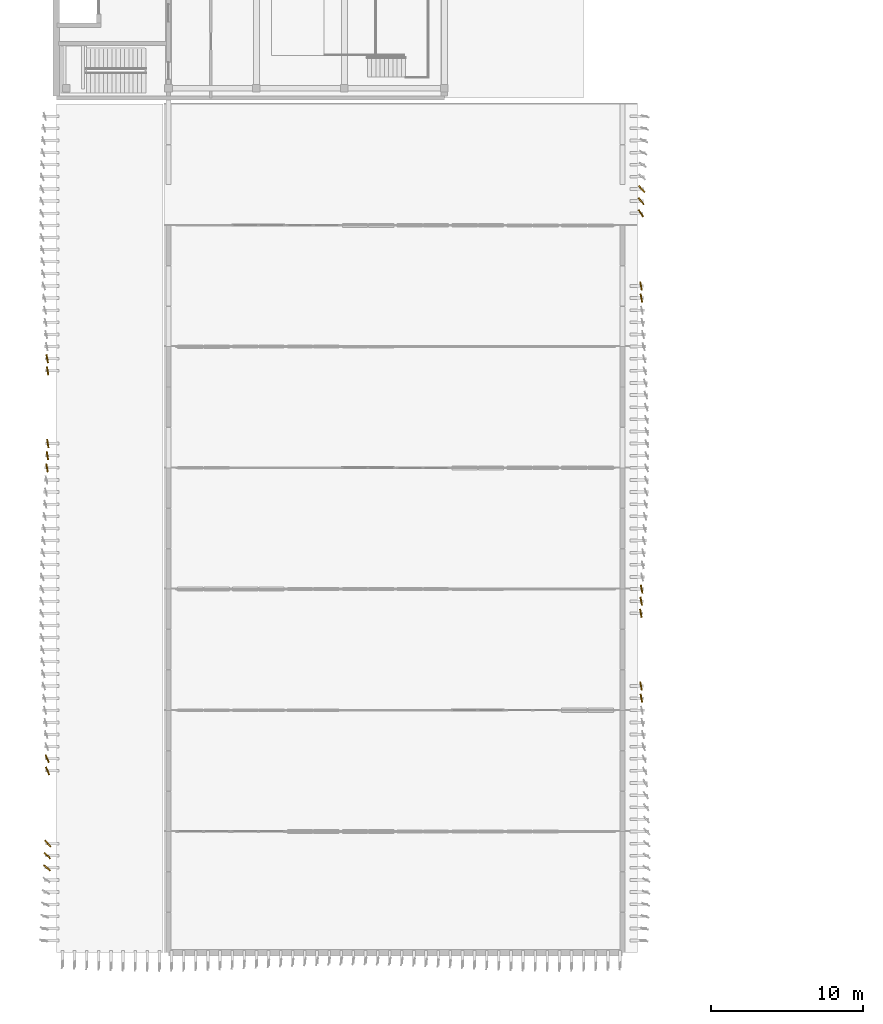
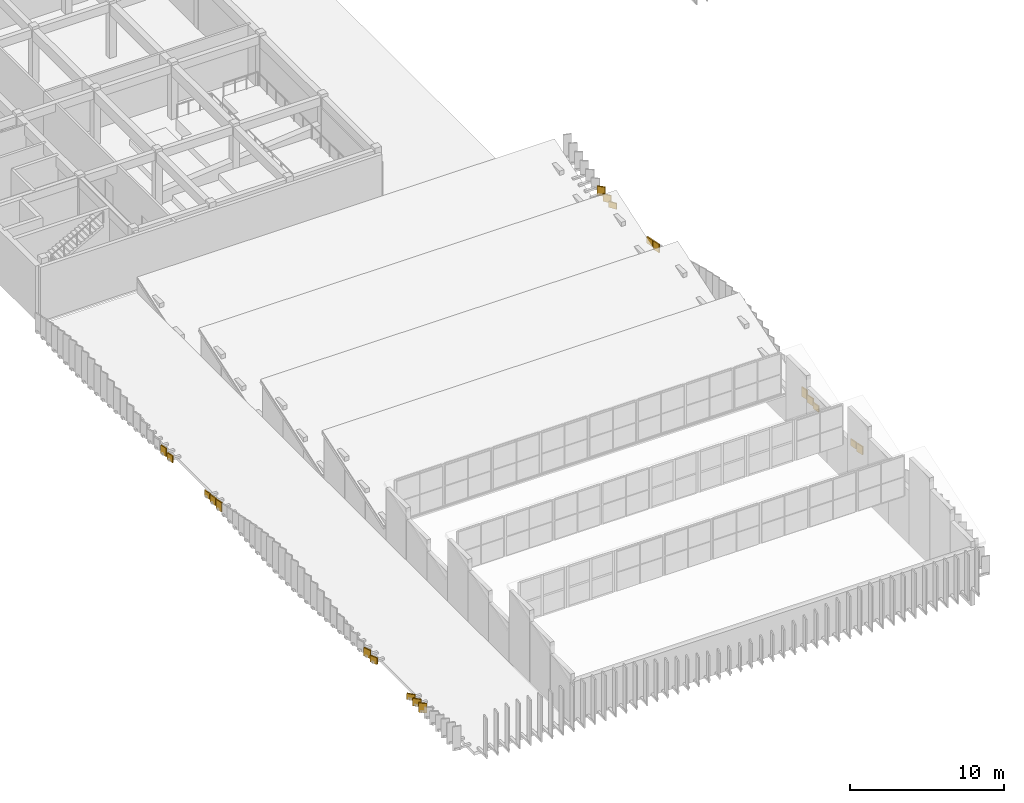
# One storey, part 44 of 45: 20 coverings.
"""IFC4 building model written with IfcOpenShell, lengths in metres."""

from ifc_helpers import new_model, si_unit, direction, frame, origin, origin_2d, place, context, subcontext, project, spatial, rectangle, extrude, material, layer, layer_set, type_object, element, save


model = new_model("IFC4")

# Units and contexts
model_context = context("Model", 3, precision=1e-05, world=origin(), true_north=direction((0.0, 1.0)))
body_context = subcontext(model_context, "Body", "Model", "MODEL_VIEW")
ifc_project = project(units=[si_unit("LENGTHUNIT", "METRE"), si_unit("AREAUNIT", "SQUARE_METRE"), si_unit("VOLUMEUNIT", "CUBIC_METRE"), si_unit("PLANEANGLEUNIT", "RADIAN"), si_unit("MASSUNIT", "GRAM", prefix="KILO")], contexts=[model_context])

# Site, building, storey
site_placement = place(None, origin())
site = spatial("IfcSite", under=ifc_project, at=site_placement, CompositionType="ELEMENT")
building_placement = place(site_placement, origin())
building = spatial("IfcBuilding", under=site, at=building_placement, Name="Cinchona Park Media Centre", CompositionType="ELEMENT")
storey_placement = place(building_placement, frame((0.0, 0.0, 20.39990234375)))
storey = spatial("IfcBuildingStorey", under=building, at=storey_placement, Name="L04", CompositionType="ELEMENT", Elevation=20.39990234375)

# Coverings
ifc_material = material(Name="Anodised Storm-Resistant Aluminium Fin", Category="aluminium")
ifc_layer = layer(ifc_material, 0.090087890625)
ifc_layer_set = layer_set([ifc_layer], Name="Anodised Storm-Resistant Aluminium Fin")
covering_type = type_object("IfcCoveringType", Name="CLADDING-FIN01", PredefinedType="CLADDING", material=ifc_layer_set)
covering_1_placement = place(storey_placement, frame((7.39501953125, 46.800048828125, 0.0), z_axis=(0.0, 0.0, 1.0), x_axis=(0.176569392453, -0.984288194407, 0.0)))
element("IfcCovering", 1, at=covering_1_placement, inside=storey, type_object=covering_type, Name="Twisting Vertical Facade Fin L04", PredefinedType="CLADDING", context=body_context, shape_type="SweptSolid", body=[
    extrude(rectangle(XDim=0.56005859375, YDim=0.090087890625, at=origin_2d()), origin(), (0.0, 0.0, 1.0), 0.659912109375),
])
covering_2_placement = place(storey_placement, frame((7.4208984375, 46.0, 0.000244140625), z_axis=(0.0, 0.0, 1.0), x_axis=(0.161603821103, -0.986855716407, 0.0)))
element("IfcCovering", 2, at=covering_2_placement, inside=storey, type_object=covering_type, Name="Twisting Vertical Facade Fin L04", PredefinedType="CLADDING", context=body_context, shape_type="SweptSolid", body=[
    extrude(rectangle(XDim=0.56005859375, YDim=0.090087890625, at=origin_2d()), origin(), (0.0, 0.0, 1.0), 0.52587890625),
])
covering_3_placement = place(storey_placement, frame((7.431884765625, 41.199951171875, 0.00048828125), z_axis=(0.0, 0.0, 1.0), x_axis=(0.155400074643, -0.987851616793, 0.0)))
element("IfcCovering", 3, at=covering_3_placement, inside=storey, type_object=covering_type, Name="Twisting Vertical Facade Fin L04", PredefinedType="CLADDING", context=body_context, shape_type="SweptSolid", body=[
    extrude(rectangle(XDim=0.56005859375, YDim=0.090087890625, at=origin_2d()), origin(), (0.0, 0.0, 1.0), 0.470947265625),
])
covering_4_placement = place(storey_placement, frame((7.408935546875, 40.39990234375, -0.00048828125), z_axis=(0.0, 0.0, 1.0), x_axis=(0.168661414708, -0.985674047132, 0.0)))
element("IfcCovering", 4, at=covering_4_placement, inside=storey, type_object=covering_type, Name="Twisting Vertical Facade Fin L04", PredefinedType="CLADDING", context=body_context, shape_type="SweptSolid", body=[
    extrude(rectangle(XDim=0.56005859375, YDim=0.090087890625, at=origin_2d()), origin(), (0.0, 0.0, 1.0), 0.589111328125),
])
covering_5_placement = place(storey_placement, frame((7.3798828125, 39.60009765625, -0.00048828125), z_axis=(0.0, 0.0, 1.0), x_axis=(0.185152095101, -0.982709876657, 0.0)))
element("IfcCovering", 5, at=covering_5_placement, inside=storey, type_object=covering_type, Name="Twisting Vertical Facade Fin L04", PredefinedType="CLADDING", context=body_context, shape_type="SweptSolid", body=[
    extrude(rectangle(XDim=0.56005859375, YDim=0.090087890625, at=origin_2d()), origin(), (0.0, 0.0, 1.0), 0.737060546875),
])
covering_6_placement = place(storey_placement, frame((7.39501953125, 20.39990234375, 0.0), z_axis=(0.0, 0.0, 1.0), x_axis=(0.368773569362, -0.929519259908, 0.0)))
element("IfcCovering", 6, at=covering_6_placement, inside=storey, type_object=covering_type, Name="Twisting Vertical Facade Fin L04", PredefinedType="CLADDING", context=body_context, shape_type="SweptSolid", body=[
    extrude(rectangle(XDim=0.56005859375, YDim=0.090087890625, at=origin_2d()), origin(), (0.0, 0.0, 1.0), 0.659912109375),
])
covering_7_placement = place(storey_placement, frame((7.4208984375, 19.60009765625, 0.000244140625), z_axis=(0.0, 0.0, 1.0), x_axis=(0.403066169295, -0.915170838243, 0.0)))
element("IfcCovering", 7, at=covering_7_placement, inside=storey, type_object=covering_type, Name="Twisting Vertical Facade Fin L04", PredefinedType="CLADDING", context=body_context, shape_type="SweptSolid", body=[
    extrude(rectangle(XDim=0.56005859375, YDim=0.090087890625, at=origin_2d()), origin(), (0.0, 0.0, 1.0), 0.52587890625),
])
covering_8_placement = place(storey_placement, frame((7.431884765625, 14.800048828125, 0.00048828125), z_axis=(0.0, 0.0, 1.0), x_axis=(0.661573663187, -0.749880182547, 0.0)))
element("IfcCovering", 8, at=covering_8_placement, inside=storey, type_object=covering_type, Name="Twisting Vertical Facade Fin L04", PredefinedType="CLADDING", context=body_context, shape_type="SweptSolid", body=[
    extrude(rectangle(XDim=0.56005859375, YDim=0.090087890625, at=origin_2d()), origin(), (0.0, 0.0, 1.0), 0.470947265625),
])
covering_9_placement = place(storey_placement, frame((7.408935546875, 14.0, -0.00048828125), z_axis=(0.0, 0.0, 1.0), x_axis=(0.70944774386, -0.704758042687, 0.0)))
element("IfcCovering", 9, at=covering_9_placement, inside=storey, type_object=covering_type, Name="Twisting Vertical Facade Fin L04", PredefinedType="CLADDING", context=body_context, shape_type="SweptSolid", body=[
    extrude(rectangle(XDim=0.56005859375, YDim=0.090087890625, at=origin_2d()), origin(), (0.0, 0.0, 1.0), 0.589111328125),
])
covering_10_placement = place(storey_placement, frame((7.3798828125, 13.199951171875, -0.00048828125), z_axis=(0.0, 0.0, 1.0), x_axis=(0.756538697576, -0.653948926958, 0.0)))
element("IfcCovering", 10, at=covering_10_placement, inside=storey, type_object=covering_type, Name="Twisting Vertical Facade Fin L04", PredefinedType="CLADDING", context=body_context, shape_type="SweptSolid", body=[
    extrude(rectangle(XDim=0.56005859375, YDim=0.090087890625, at=origin_2d()), origin(), (0.0, 0.0, 1.0), 0.737060546875),
])
covering_11_placement = place(storey_placement, frame((46.60498046875, 24.39990234375, 0.0), z_axis=(0.0, 0.0, 1.0), x_axis=(-0.188409860458, 0.982090486912, 0.0)))
element("IfcCovering", 11, at=covering_11_placement, inside=storey, type_object=covering_type, Name="Twisting Vertical Facade Fin L04", PredefinedType="CLADDING", context=body_context, shape_type="SweptSolid", body=[
    extrude(rectangle(XDim=0.56005859375, YDim=0.090087890625, at=origin_2d()), origin(), (0.0, 0.0, 1.0), 0.659912109375),
])
covering_12_placement = place(storey_placement, frame((46.5791015625, 25.199951171875, 0.000244140625), z_axis=(0.0, 0.0, 1.0), x_axis=(-0.17553855164, 0.984472557712, 0.0)))
element("IfcCovering", 12, at=covering_12_placement, inside=storey, type_object=covering_type, Name="Twisting Vertical Facade Fin L04", PredefinedType="CLADDING", context=body_context, shape_type="SweptSolid", body=[
    extrude(rectangle(XDim=0.56005859375, YDim=0.090087890625, at=origin_2d()), origin(), (0.0, 0.0, 1.0), 0.52587890625),
])
covering_13_placement = place(storey_placement, frame((46.568115234375, 30.0, 0.00048828125), z_axis=(0.0, 0.0, 1.0), x_axis=(-0.170209499166, 0.985407898483, 0.0)))
element("IfcCovering", 13, at=covering_13_placement, inside=storey, type_object=covering_type, Name="Twisting Vertical Facade Fin L04", PredefinedType="CLADDING", context=body_context, shape_type="SweptSolid", body=[
    extrude(rectangle(XDim=0.56005859375, YDim=0.090087890625, at=origin_2d()), origin(), (0.0, 0.0, 1.0), 0.470947265625),
])
covering_14_placement = place(storey_placement, frame((46.591064453125, 30.800048828125, -0.00048828125), z_axis=(0.0, 0.0, 1.0), x_axis=(-0.18172066947, 0.983350191075, 0.0)))
element("IfcCovering", 14, at=covering_14_placement, inside=storey, type_object=covering_type, Name="Twisting Vertical Facade Fin L04", PredefinedType="CLADDING", context=body_context, shape_type="SweptSolid", body=[
    extrude(rectangle(XDim=0.56005859375, YDim=0.090087890625, at=origin_2d()), origin(), (0.0, 0.0, 1.0), 0.589111328125),
])
covering_15_placement = place(storey_placement, frame((46.6201171875, 31.60009765625, -0.00048828125), z_axis=(0.0, 0.0, 1.0), x_axis=(-0.195774991714, 0.980648842665, 0.0)))
element("IfcCovering", 15, at=covering_15_placement, inside=storey, type_object=covering_type, Name="Twisting Vertical Facade Fin L04", PredefinedType="CLADDING", context=body_context, shape_type="SweptSolid", body=[
    extrude(rectangle(XDim=0.56005859375, YDim=0.090087890625, at=origin_2d()), origin(), (0.0, 0.0, 1.0), 0.737060546875),
])
covering_16_placement = place(storey_placement, frame((46.60498046875, 50.800048828125, 0.0), z_axis=(0.0, 0.0, 1.0), x_axis=(-0.188409860458, 0.982090486912, 0.0)))
element("IfcCovering", 16, at=covering_16_placement, inside=storey, type_object=covering_type, Name="Twisting Vertical Facade Fin L04", PredefinedType="CLADDING", context=body_context, shape_type="SweptSolid", body=[
    extrude(rectangle(XDim=0.56005859375, YDim=0.090087890625, at=origin_2d()), origin(), (0.0, 0.0, 1.0), 0.659912109375),
])
covering_17_placement = place(storey_placement, frame((46.5791015625, 51.60009765625, 0.000244140625), z_axis=(0.0, 0.0, 1.0), x_axis=(-0.17553855164, 0.984472557712, 0.0)))
element("IfcCovering", 17, at=covering_17_placement, inside=storey, type_object=covering_type, Name="Twisting Vertical Facade Fin L04", PredefinedType="CLADDING", context=body_context, shape_type="SweptSolid", body=[
    extrude(rectangle(XDim=0.56005859375, YDim=0.090087890625, at=origin_2d()), origin(), (0.0, 0.0, 1.0), 0.52587890625),
])
covering_18_placement = place(storey_placement, frame((46.568115234375, 56.39990234375, 0.00048828125), z_axis=(0.0, 0.0, 1.0), x_axis=(-0.552955356864, 0.833210881659, 0.0)))
element("IfcCovering", 18, at=covering_18_placement, inside=storey, type_object=covering_type, Name="Twisting Vertical Facade Fin L04", PredefinedType="CLADDING", context=body_context, shape_type="SweptSolid", body=[
    extrude(rectangle(XDim=0.56005859375, YDim=0.090087890625, at=origin_2d()), origin(), (0.0, 0.0, 1.0), 0.470947265625),
])
covering_19_placement = place(storey_placement, frame((46.591064453125, 57.199951171875, -0.00048828125), z_axis=(0.0, 0.0, 1.0), x_axis=(-0.623333840501, 0.781955832056, 0.0)))
element("IfcCovering", 19, at=covering_19_placement, inside=storey, type_object=covering_type, Name="Twisting Vertical Facade Fin L04", PredefinedType="CLADDING", context=body_context, shape_type="SweptSolid", body=[
    extrude(rectangle(XDim=0.56005859375, YDim=0.090087890625, at=origin_2d()), origin(), (0.0, 0.0, 1.0), 0.589111328125),
])
covering_20_placement = place(storey_placement, frame((46.6201171875, 58.0, -0.00048828125), z_axis=(0.0, 0.0, 1.0), x_axis=(-0.688987322062, 0.724773392198, 0.0)))
element("IfcCovering", 20, at=covering_20_placement, inside=storey, type_object=covering_type, Name="Twisting Vertical Facade Fin L04", PredefinedType="CLADDING", context=body_context, shape_type="SweptSolid", body=[
    extrude(rectangle(XDim=0.56005859375, YDim=0.090087890625, at=origin_2d()), origin(), (0.0, 0.0, 1.0), 0.737060546875),
])

save(model, "model.ifc")
